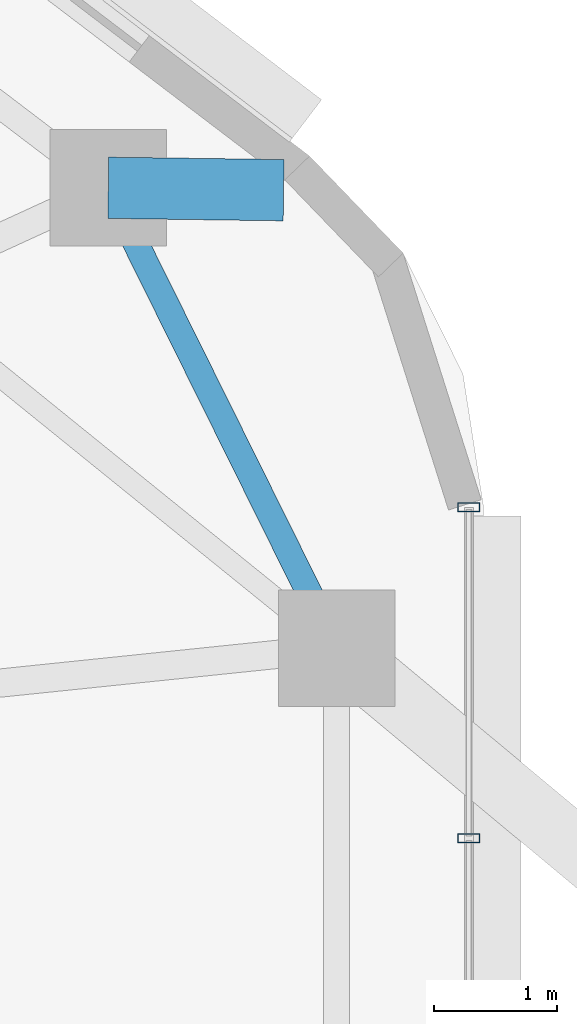
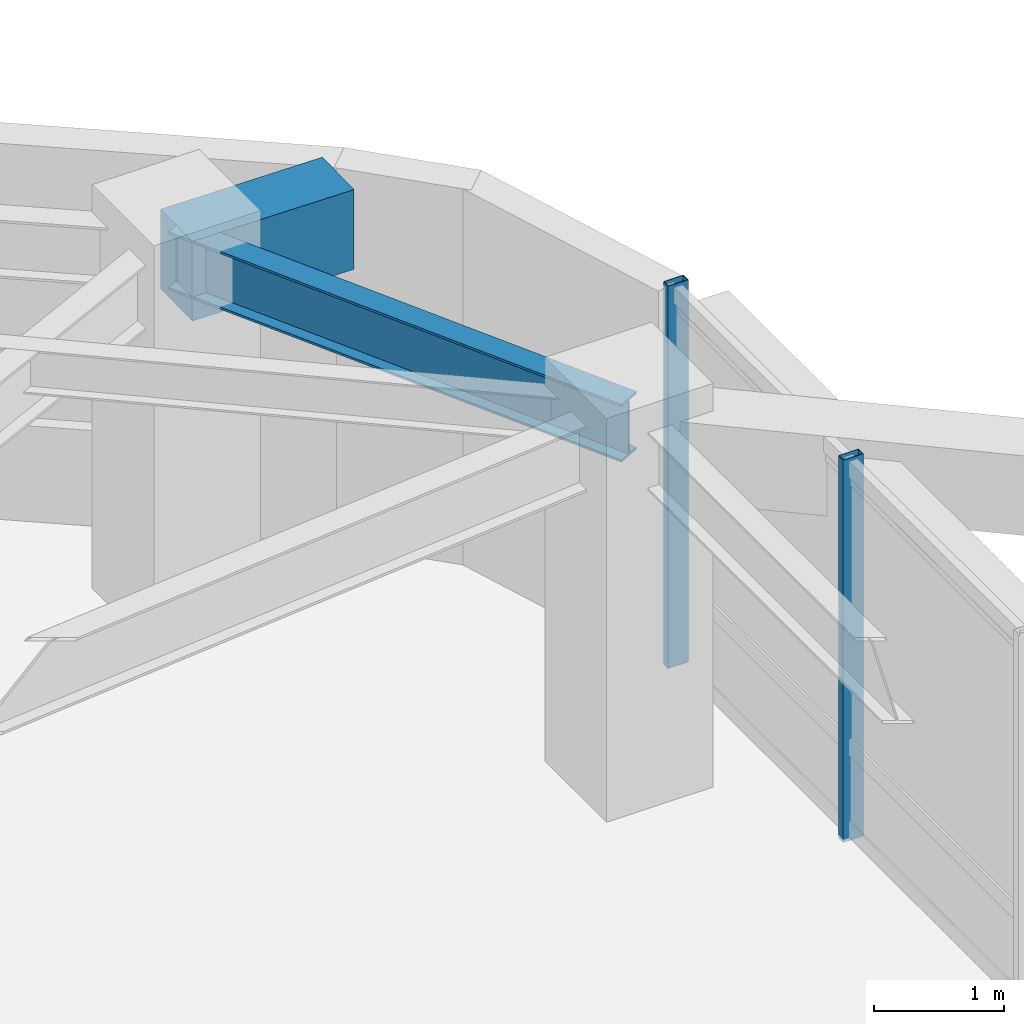
# One storey, part 6 of 14: 2 beams, 2 members, 1 element without a shape of its own.
"""IFC4 building model written with IfcOpenShell, lengths in metres."""

from ifc_helpers import new_model, si_unit, direction, frame, origin, origin_2d, place, context, subcontext, project, spatial, rectangle, hollow_rectangle, i_section, extrude, material, material_profile, profile_set, type_object, element, aggregate, save


model = new_model("IFC4")

# Units and contexts
model_context = context("Model", 3, precision=1e-05, world=origin(), true_north=direction((0.0, 1.0)))
body_context = subcontext(model_context, "Body", "Model", "MODEL_VIEW")
ifc_project = project(units=[si_unit("LENGTHUNIT", "METRE"), si_unit("AREAUNIT", "SQUARE_METRE"), si_unit("VOLUMEUNIT", "CUBIC_METRE"), si_unit("PLANEANGLEUNIT", "RADIAN"), si_unit("MASSUNIT", "GRAM", prefix="KILO")], contexts=[model_context])

# Site, building, storey
site_placement = place(None, origin())
site = spatial("IfcSite", under=ifc_project, at=site_placement, CompositionType="ELEMENT")
building_placement = place(site_placement, origin())
building = spatial("IfcBuilding", under=site, at=building_placement, Name="Zulverin Broadcast Headquarters", CompositionType="ELEMENT")
storey_placement = place(building_placement, frame((0.0, 0.0, 178.199951171875)))
storey = spatial("IfcBuildingStorey", under=building, at=storey_placement, Name="L45", CompositionType="ELEMENT", Elevation=178.199951171875)

# Beams
ifc_material_1 = material(Name="Concrete C40/50", Category="concrete")
ifc_material_profile_1 = material_profile(ifc_material_1, rectangle(XDim=0.5, YDim=0.75, at=origin_2d()), Name="Concrete C40/50", Category="concrete")
ifc_profile_set_1 = profile_set([ifc_material_profile_1], Name="Concrete C40/50")
beam_type_1 = type_object("IfcBeamType", Name="BM-RC-500x750", PredefinedType="BEAM", material=ifc_profile_set_1)
beam_1_placement = place(storey_placement, frame((58.738037109375, 37.877685546875, 3.1650390625), z_axis=(0.99990438472, -0.013828283279, 0.0), x_axis=(0.013828283279, 0.99990438472, 0.0)))
element("IfcBeam", 1, at=beam_1_placement, inside=storey, type_object=beam_type_1, Name="L46 Plate Overhang Back-Spanned Beam OVR-07", PredefinedType="BEAM", context=body_context, shape_type="SweptSolid", body=[
    extrude(rectangle(XDim=0.5, YDim=0.75, at=origin_2d()), origin(), (0.0, 0.0, 1.0), 1.43017578125),
])
ifc_material_2 = material(Name="Structural steel S355JR", Category="steel")
ifc_material_profile_2 = material_profile(ifc_material_2, i_section(OverallWidth=0.2119140625, OverallDepth=0.54443359375, WebThickness=0.0126953125, FlangeThickness=0.021240234375, at=origin_2d()), Name="Structural steel S355JR", Category="steel")
ifc_profile_set_2 = profile_set([ifc_material_profile_2], Name="Structural steel S355JR")
beam_type_2 = type_object("IfcBeamType", Name="BM-UB-533", PredefinedType="SPANDREL", material=ifc_profile_set_2)
beam_2_placement = place(storey_placement, frame((60.60009765625, 34.12158203125, 3.267822265625), z_axis=(-0.444159471033, 0.895947746407, 0.0), x_axis=(-0.895947746407, -0.444159471033, 0.0)))
element("IfcBeam", 2, at=beam_2_placement, inside=storey, type_object=beam_type_2, Name="L45 Perimeter Spandrel Beam SP-06", PredefinedType="SPANDREL", context=body_context, shape_type="SweptSolid", body=[
    extrude(i_section(OverallWidth=0.2119140625, OverallDepth=0.54443359375, WebThickness=0.0126953125, FlangeThickness=0.021240234375, at=origin_2d()), origin(), (0.0, 0.0, 1.0), 4.1923828125),
])

# Curtain wall, members
ifc_material_3 = material(Name="Waist wind-pressure unitised curtain wall", Category="aluminium")
curtain_wall_type = type_object("IfcCurtainWallType", Name="CW-TWR-WST", PredefinedType="USERDEFINED", material=ifc_material_3)
curtain_wall_placement = place(storey_placement, origin())
curtain_wall = element("IfcCurtainWall", 3, at=curtain_wall_placement, inside=storey, type_object=curtain_wall_type, Name="L45 Unitised Curtain Wall CW-L45-E3", ObjectType="UNITISED CURTAIN WALL", PredefinedType="USERDEFINED")
ifc_material_4 = material(Name="Anodized pale-metal aluminium alloy 6063-T6", Category="aluminium")
ifc_material_profile_3 = material_profile(ifc_material_4, hollow_rectangle(XDim=0.074951171875, YDim=0.179931640625, WallThickness=0.0048828125, at=origin_2d()), Name="Anodized pale-metal aluminium alloy 6063-T6", Category="aluminium")
ifc_profile_set_3 = profile_set([ifc_material_profile_3], Name="Anodized pale-metal aluminium alloy 6063-T6")
member_type = type_object("IfcMemberType", Name="CW-MUL-180", PredefinedType="MULLION", material=ifc_profile_set_3)
member_1_placement = place(storey_placement, frame((61.679931640625, 32.5712890625, -0.030029296875), z_axis=(0.0, 0.0, 1.0), x_axis=(0.0, 1.0, 0.0)))
member_1 = element("IfcMember", 4, at=member_1_placement, type_object=member_type, Name="CW-L45-E3 Mullion 06", PredefinedType="MULLION", context=body_context, shape_type="SweptSolid", body=[
    extrude(hollow_rectangle(XDim=0.074951171875, YDim=0.179931640625, WallThickness=0.0048828125, at=origin_2d()), origin(), (0.0, 0.0, 1.0), 3.60009765625),
])
member_2_placement = place(storey_placement, frame((61.679931640625, 35.271484375, -0.030029296875), z_axis=(0.0, 0.0, 1.0), x_axis=(0.0, 1.0, 0.0)))
member_2 = element("IfcMember", 5, at=member_2_placement, type_object=member_type, Name="CW-L45-E3 Mullion 07", PredefinedType="MULLION", context=body_context, shape_type="SweptSolid", body=[
    extrude(hollow_rectangle(XDim=0.074951171875, YDim=0.179931640625, WallThickness=0.0048828125, at=origin_2d()), origin(), (0.0, 0.0, 1.0), 3.60009765625),
])
aggregate(curtain_wall, [member_1, member_2])

save(model, "model.ifc")
